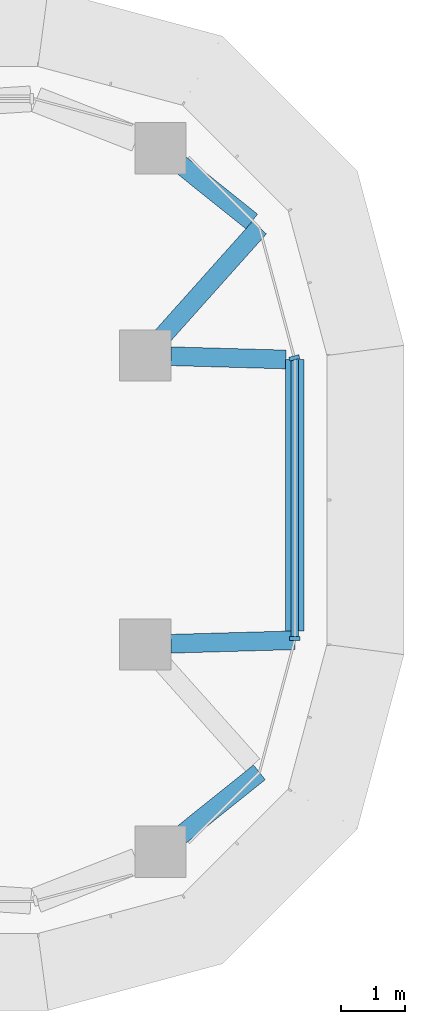
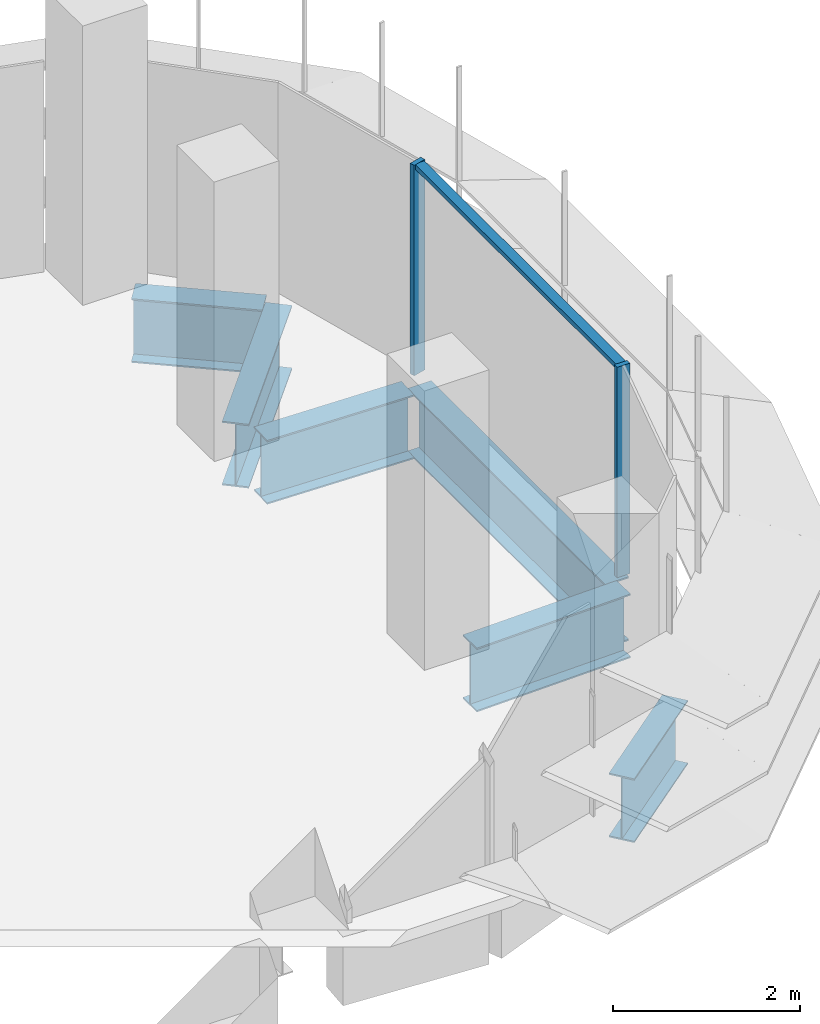
# One storey, part 10 of 19: 6 beams, 3 members, 2 elements without a shape of their own.
"""IFC4 building model written with IfcOpenShell, lengths in metres."""

import ifcopenshell
import ifcopenshell.guid

model = None  # the IFC model being written
_history = None  # IfcOwnerHistory: only IFC2X3 demands one
_inside = {}  # id of a spatial element -> (the spatial element, [elements in it])
_under = {}  # id of a project, library or spatial element -> (it, [spatial elements below it])
_declared = {}  # id of a project -> (the project, [libraries it declares])
_typed = {}  # id of a type object -> (the type object, [elements of that type])
_made_of = {}  # id of a material, layer set ... -> (it, [elements and type objects made of it])


def new_model(schema):
    """Start an empty IFC model of exactly this schema.

    Asked for "IFC4X3", IfcOpenShell would pick the latest addendum, in which some entities
    have other attributes; the version numbers below select the first issue.
    IFC2X3 requires an IfcOwnerHistory on every rooted entity: one is made here for all.
    """
    global model, _history
    if schema == "IFC4X3":
        model = ifcopenshell.file(schema_version=(4, 3, 0, 0))
    else:
        model = ifcopenshell.file(schema=schema)
    _inside.clear()
    _under.clear()
    _declared.clear()
    _typed.clear()
    _made_of.clear()
    _history = None
    if model.schema == "IFC2X3":
        org = make("IfcOrganization", Name="unknown")
        user = make(
            "IfcPersonAndOrganization",
            ThePerson=make("IfcPerson", FamilyName="unknown"),
            TheOrganization=org,
        )
        app = make(
            "IfcApplication",
            ApplicationDeveloper=org,
            Version="unknown",
            ApplicationFullName="unknown",
            ApplicationIdentifier="unknown",
        )
        _history = make(
            "IfcOwnerHistory",
            OwningUser=user,
            OwningApplication=app,
            ChangeAction="ADDED",
            CreationDate=0,
        )
    return model


def make(cls, **values):
    """One entity of the class cls with the attributes given. An attribute that is None is left unset."""
    return model.create_entity(
        cls, **{name: value for name, value in values.items() if value is not None}
    )


def rooted(cls, **values):
    """An entity with a GlobalId (a new one), such as an element, a storey or a relation."""
    return make(cls, GlobalId=ifcopenshell.guid.new(), OwnerHistory=_history, **values)


def si_unit(unit_type, name, prefix=None):
    """IfcSIUnit, for example si_unit("LENGTHUNIT", "METRE", prefix="MILLI")."""
    return make("IfcSIUnit", UnitType=unit_type, Prefix=prefix, Name=name)


def assignment(units):
    """IfcUnitAssignment: the units of a project."""
    return None if units is None else make("IfcUnitAssignment", Units=units)


def point(xyz):
    """IfcCartesianPoint."""
    return None if xyz is None else make("IfcCartesianPoint", Coordinates=xyz)


def direction(xyz):
    """IfcDirection."""
    return None if xyz is None else make("IfcDirection", DirectionRatios=xyz)


def frame(location, z_axis=None, x_axis=None):
    """IfcAxis2Placement3D, a coordinate frame: its origin and axes. An axis left out is left unset."""
    return make(
        "IfcAxis2Placement3D",
        Location=point(location),
        Axis=direction(z_axis),
        RefDirection=direction(x_axis),
    )


def frame_2d(location, x_axis=None):
    """IfcAxis2Placement2D, a coordinate frame in the plane: its origin and x axis."""
    return make(
        "IfcAxis2Placement2D", Location=point(location), RefDirection=direction(x_axis)
    )


def origin():
    """The frame at (0, 0, 0) with its axes left unset."""
    return frame((0.0, 0.0, 0.0))


def origin_2d():
    """The frame at (0, 0) in the plane with its x axis left unset."""
    return frame_2d((0.0, 0.0))


def place(relative_to, where):
    """IfcLocalPlacement: puts the frame where relative to a parent placement (None: the world)."""
    return make(
        "IfcLocalPlacement", PlacementRelTo=relative_to, RelativePlacement=where
    )


def context(
    kind, dimensions, precision=None, world=None, true_north=None, identifier=None
):
    """IfcGeometricRepresentationContext, for example the 3D "Model" context."""
    return make(
        "IfcGeometricRepresentationContext",
        ContextIdentifier=identifier,
        ContextType=kind,
        CoordinateSpaceDimension=dimensions,
        Precision=precision,
        WorldCoordinateSystem=world,
        TrueNorth=true_north,
    )


def subcontext(parent, identifier, kind, view, scale=None):
    """IfcGeometricRepresentationSubContext, for example "Body" below "Model"."""
    return make(
        "IfcGeometricRepresentationSubContext",
        ContextIdentifier=identifier,
        ContextType=kind,
        ParentContext=parent,
        TargetScale=scale,
        TargetView=view,
    )


def project(units=None, contexts=None):
    """IfcProject with its units and contexts."""
    return rooted(
        "IfcProject",
        Name="project",
        RepresentationContexts=contexts,
        UnitsInContext=assignment(units),
    )


def spatial(cls, under=None, at=None, **own):
    """A site, building, storey or space (cls), placed at a placement, below another one or the project."""
    s = rooted(cls, ObjectPlacement=at, **own)
    if under is not None:
        _under.setdefault(under.id(), (under, []))[1].append(s)
    return s


def polyline(points):
    """IfcPolyline through the points."""
    return make("IfcPolyline", Points=[point(p) for p in points])


def profile(cls, at=None, kind="AREA", **sizes):
    """A parametric profile (cls). Its sizes go by their IFC names, for example OverallWidth=200.0."""
    return make(cls, ProfileType=kind, Position=at, **sizes)


def i_section(**sizes):
    """IfcIShapeProfileDef."""
    return profile("IfcIShapeProfileDef", **sizes)


def outline(outer, holes=None, kind="AREA"):
    """IfcArbitraryClosedProfileDef: a profile drawn as a closed curve; with holes, ...WithVoids."""
    if holes is None:
        return make("IfcArbitraryClosedProfileDef", ProfileType=kind, OuterCurve=outer)
    return make(
        "IfcArbitraryProfileDefWithVoids",
        ProfileType=kind,
        OuterCurve=outer,
        InnerCurves=holes,
    )


def extrude(swept, where, along, depth):
    """IfcExtrudedAreaSolid: the profile swept, set in the frame where, extruded along a direction by depth."""
    return make(
        "IfcExtrudedAreaSolid",
        SweptArea=swept,
        Position=where,
        ExtrudedDirection=direction(along),
        Depth=depth,
    )


def shape(context_of_items, identifier, shape_type, items):
    """IfcShapeRepresentation: the items that make up one representation, for example the "Body"."""
    return make(
        "IfcShapeRepresentation",
        ContextOfItems=context_of_items,
        RepresentationIdentifier=identifier,
        RepresentationType=shape_type,
        Items=items,
    )


def source(mapping_origin, context_of_items, identifier, shape_type, items):
    """IfcRepresentationMap: a shape defined once, which mapped items show again and again."""
    return make(
        "IfcRepresentationMap",
        MappingOrigin=mapping_origin,
        MappedRepresentation=shape(context_of_items, identifier, shape_type, items),
    )


def transform(
    local_origin,
    x_axis=None,
    y_axis=None,
    z_axis=None,
    scale=None,
    scale2=None,
    scale3=None,
    uniform=True,
):
    """IfcCartesianTransformationOperator3D, or its non-uniform kind. x_axis, y_axis, z_axis: its Axis1, 2, 3."""
    if uniform:
        return make(
            "IfcCartesianTransformationOperator3D",
            Axis1=direction(x_axis),
            Axis2=direction(y_axis),
            LocalOrigin=point(local_origin),
            Scale=scale,
            Axis3=direction(z_axis),
        )
    return make(
        "IfcCartesianTransformationOperator3DnonUniform",
        Axis1=direction(x_axis),
        Axis2=direction(y_axis),
        LocalOrigin=point(local_origin),
        Scale=scale,
        Axis3=direction(z_axis),
        Scale2=scale2,
        Scale3=scale3,
    )


def mapped(mapping_source, mapping_target):
    """IfcMappedItem: shows the shape of a source again, moved by a transform."""
    return make(
        "IfcMappedItem", MappingSource=mapping_source, MappingTarget=mapping_target
    )


def material(Name=None, Category=None):
    """IfcMaterial."""
    return make("IfcMaterial", Name=Name, Category=Category)


def material_profile(
    of_material, cross_section, Name=None, Category=None, Priority=None
):
    """IfcMaterialProfile: a cross section and its material."""
    return make(
        "IfcMaterialProfile",
        Name=Name,
        Material=of_material,
        Profile=cross_section,
        Priority=Priority,
        Category=Category,
    )


def profile_set(profiles, Name=None, composite=None):
    """IfcMaterialProfileSet."""
    return make(
        "IfcMaterialProfileSet",
        Name=Name,
        MaterialProfiles=profiles,
        CompositeProfile=composite,
    )


def made_of(thing, what):
    """Note that an element or type object is made of a material, layer set ...; save() writes the relation."""
    if what is not None:
        _made_of.setdefault(what.id(), (what, []))[1].append(thing)
    return thing


def type_object(cls, material=None, **own):
    """A type object (cls), such as IfcWallType, which elements share."""
    return made_of(rooted(cls, **own), material)


def element(
    cls,
    number,
    at=None,
    inside=None,
    cuts=None,
    type_object=None,
    material=None,
    context=None,
    identifier="Body",
    shape_type=None,
    held_by="IfcProductDefinitionShape",
    body=None,
    shapes=None,
    **own,
):
    """One element of the class cls, such as IfcWall. Its Tag is "e" and its number.

    at: its placement. inside: the storey or other place that contains it. cuts: it is an
    opening in that element (IfcRelVoidsElement). A single representation is given by context,
    identifier, shape_type and body (its items); several are given by shapes. held_by: the class
    of the entity that holds the representations. save() writes the other relations.
    """
    e = rooted(cls, Tag="e%d" % number, ObjectPlacement=at, **own)
    if body is not None:
        shapes = [shape(context, identifier, shape_type, body)]
    if shapes is not None:
        e.Representation = make(held_by, Representations=shapes)
    if inside is not None:
        _inside.setdefault(inside.id(), (inside, []))[1].append(e)
    if cuts is not None:
        rooted(
            "IfcRelVoidsElement", RelatingBuildingElement=cuts, RelatedOpeningElement=e
        )
    if type_object is not None:
        _typed.setdefault(type_object.id(), (type_object, []))[1].append(e)
    return made_of(e, material)


def aggregate(whole, parts):
    """IfcRelAggregates: a whole, such as a stair, and the parts it consists of."""
    return rooted("IfcRelAggregates", RelatingObject=whole, RelatedObjects=parts)


def save(model, path):
    """Write the relations noted so far, then the file.

    IfcRelAggregates (storeys below a building ...), IfcRelContainedInSpatialStructure (elements
    in a storey), IfcRelDefinesByType, IfcRelAssociatesMaterial and IfcRelDeclares: one each for
    every whole, place, type object, material and project.
    """
    for whole, parts in _under.values():
        aggregate(whole, parts)
    for where, things in _inside.values():
        rooted(
            "IfcRelContainedInSpatialStructure",
            RelatedElements=things,
            RelatingStructure=where,
        )
    for kind, things in _typed.values():
        rooted("IfcRelDefinesByType", RelatedObjects=things, RelatingType=kind)
    for what, things in _made_of.values():
        rooted("IfcRelAssociatesMaterial", RelatedObjects=things, RelatingMaterial=what)
    for by, libraries in _declared.values():
        rooted("IfcRelDeclares", RelatingContext=by, RelatedDefinitions=libraries)
    model.write(path)


model = new_model("IFC4")

# Units and contexts
model_context = context("Model", 3, precision=1e-05, world=origin(), true_north=direction((0.0, 1.0)))
body_context = subcontext(model_context, "Body", "Model", "MODEL_VIEW")
ifc_project = project(units=[si_unit("LENGTHUNIT", "METRE"), si_unit("AREAUNIT", "SQUARE_METRE"), si_unit("VOLUMEUNIT", "CUBIC_METRE"), si_unit("PLANEANGLEUNIT", "RADIAN"), si_unit("MASSUNIT", "GRAM", prefix="KILO")], contexts=[model_context])

# Site, building, storey
site_placement = place(None, origin())
site = spatial("IfcSite", under=ifc_project, at=site_placement, CompositionType="ELEMENT")
building_placement = place(site_placement, origin())
building = spatial("IfcBuilding", under=site, at=building_placement, Name="Zarbagh Exchange Tower", CompositionType="ELEMENT")
storey_placement = place(building_placement, frame((0.0, 0.0, 160.0)))
storey = spatial("IfcBuildingStorey", under=building, at=storey_placement, Name="L38", CompositionType="ELEMENT", Elevation=160.0)

# Beams
ifc_material_1 = material(Name="Steel ASTM A992 Gr 50", Category="steel")
ifc_material_profile = material_profile(ifc_material_1, i_section(OverallWidth=0.2919921875, OverallDepth=0.835693359375, WebThickness=0.013916015625, FlangeThickness=0.018798828125, at=origin_2d()), Name="W33X118")
ifc_profile_set = profile_set([ifc_material_profile], Name="Steel ASTM A992 Gr 50")
beam_type = type_object("IfcBeamType", Name="Floor girder W33X118", PredefinedType="BEAM", material=ifc_profile_set)
beam_1_placement = place(storey_placement, frame((29.22021484375, 5.22509765625, -0.56787109375), z_axis=(0.780533236132, -0.625114283387, 0.0), x_axis=(0.625114283387, 0.780533236132, 0.0)))
element("IfcBeam", 1, at=beam_1_placement, inside=storey, type_object=beam_type, Name="Steel girder", PredefinedType="BEAM", context=body_context, shape_type="SweptSolid", body=[
    extrude(i_section(OverallWidth=0.2919921875, OverallDepth=0.835693359375, WebThickness=0.013916015625, FlangeThickness=0.018798828125, at=origin_2d()), origin(), (0.0, 0.0, 1.0), 1.420166015625),
])
beam_2_placement = place(storey_placement, frame((30.44873046875, 4.2412109375, -0.56787109375), z_axis=(-0.666191013206, -0.745781156857, 0.0), x_axis=(0.745781156857, -0.666191013206, 0.0)))
element("IfcBeam", 2, at=beam_2_placement, inside=storey, type_object=beam_type, Name="Steel girder", PredefinedType="BEAM", context=body_context, shape_type="SweptSolid", body=[
    extrude(i_section(OverallWidth=0.2919921875, OverallDepth=0.835693359375, WebThickness=0.013916015625, FlangeThickness=0.018798828125, at=origin_2d()), origin(), (0.0, 0.0, 1.0), 2.27001953125),
])
beam_3_placement = place(storey_placement, frame((29.06982421875, 2.23876953125, -0.56787109375), z_axis=(0.999600942558, -0.028248108547, 0.0), x_axis=(0.028248108547, 0.999600942558, 0.0)))
element("IfcBeam", 3, at=beam_3_placement, inside=storey, type_object=beam_type, Name="Steel girder", PredefinedType="BEAM", context=body_context, shape_type="SweptSolid", body=[
    extrude(i_section(OverallWidth=0.2919921875, OverallDepth=0.835693359375, WebThickness=0.013916015625, FlangeThickness=0.018798828125, at=origin_2d()), origin(), (0.0, 0.0, 1.0), 1.7890625),
])
beam_4_placement = place(storey_placement, frame((31.0, 2.18408203125, -0.56787109375), z_axis=(0.0, -1.0, 0.0), x_axis=(1.0, 0.0, 0.0)))
element("IfcBeam", 4, at=beam_4_placement, inside=storey, type_object=beam_type, Name="Steel girder", PredefinedType="BEAM", context=body_context, shape_type="SweptSolid", body=[
    extrude(i_section(OverallWidth=0.2919921875, OverallDepth=0.835693359375, WebThickness=0.013916015625, FlangeThickness=0.018798828125, at=origin_2d()), origin(), (0.0, 0.0, 1.0), 4.226318359375),
])
beam_5_placement = place(storey_placement, frame((31.0, -2.18408203125, -0.56787109375), z_axis=(-0.999598864551, -0.028321546377, 0.0), x_axis=(0.028321546377, -0.999598864551, 0.0)))
element("IfcBeam", 5, at=beam_5_placement, inside=storey, type_object=beam_type, Name="Steel girder", PredefinedType="BEAM", context=body_context, shape_type="SweptSolid", body=[
    extrude(i_section(OverallWidth=0.2919921875, OverallDepth=0.835693359375, WebThickness=0.013916015625, FlangeThickness=0.018798828125, at=origin_2d()), origin(), (0.0, 0.0, 1.0), 1.930908203125),
])
beam_6_placement = place(storey_placement, frame((30.44873046875, -4.2412109375, -0.56787109375), z_axis=(-0.780535770033, -0.625111119482, 0.0), x_axis=(0.625111119482, -0.780535770033, 0.0)))
element("IfcBeam", 6, at=beam_6_placement, inside=storey, type_object=beam_type, Name="Steel girder", PredefinedType="BEAM", context=body_context, shape_type="SweptSolid", body=[
    extrude(i_section(OverallWidth=0.2919921875, OverallDepth=0.835693359375, WebThickness=0.013916015625, FlangeThickness=0.018798828125, at=origin_2d()), origin(), (0.0, 0.0, 1.0), 1.573974609375),
])

# Curtain wall, member
ifc_material_2 = material(Name="Anodised aluminium frame and glazing", Category="aluminium")
curtain_wall_type = type_object("IfcCurtainWallType", Name="CWB Ribbon glazing, upper zones", PredefinedType="NOTDEFINED", material=ifc_material_2)
curtain_wall_1_placement = place(storey_placement, origin())
curtain_wall_1 = element("IfcCurtainWall", 7, at=curtain_wall_1_placement, inside=storey, type_object=curtain_wall_type, Name="CWB12 curtain wall", PredefinedType="NOTDEFINED")
ifc_material_3 = material(Name="Anodised aluminium frame", Category="aluminium")
member_type_1 = type_object("IfcMemberType", Name="MUB Mullion, anodised aluminium frame", PredefinedType="MULLION", material=ifc_material_3)
shared_shape_1 = source(origin(), body_context, "Body", "SweptSolid", [
    extrude(outline(polyline([(0.0, -0.080078125), (0.06005859375, -0.080078125), (0.06005859375, 0.080078125), (0.0, 0.080078125), (0.0, -0.080078125)])), origin(), (0.0, 0.0, 1.0), 2.75),
])
placement = place(storey_placement, origin())
member_1 = element("IfcMember", 8, at=placement, type_object=member_type_1, Name="CWB12 mullion 1.1", PredefinedType="MULLION", context=body_context, shape_type="MappedRepresentation", body=[
    mapped(shared_shape_1, transform((31.0, -2.18408203125, 0.0), x_axis=(0.0, 1.0, 0.0), y_axis=(-1.0, 0.0, 0.0), z_axis=(0.0, 0.0, 1.0))),
])

curtain_wall_2_placement = place(storey_placement, origin())
curtain_wall_2 = element("IfcCurtainWall", 9, at=curtain_wall_2_placement, inside=storey, type_object=curtain_wall_type, Name="CWB13 curtain wall", PredefinedType="NOTDEFINED")
member_2 = element("IfcMember", 10, at=placement, type_object=member_type_1, Name="CWB13 mullion 1.1", PredefinedType="MULLION", context=body_context, shape_type="MappedRepresentation", body=[
    mapped(shared_shape_1, transform((31.0, 2.18408203125, 0.0), x_axis=(-0.258824779902, 0.965924289636, 0.0), y_axis=(-0.965924289636, -0.258824779902, 0.0), z_axis=(0.0, 0.0, 1.0))),
])
aggregate(curtain_wall_2, [member_2])

# Member
member_type_2 = type_object("IfcMemberType", Name="TRB Transom, anodised aluminium frame", PredefinedType="USERDEFINED", material=ifc_material_3)
shared_shape_2 = source(origin(), body_context, "Body", "SweptSolid", [
    extrude(outline(polyline([(-0.06005859375, -0.06005859375), (0.0, -0.06005859375), (0.0, 0.06005859375), (-0.06005859375, 0.06005859375), (-0.06005859375, -0.06005859375)])), origin(), (0.0, 0.0, 1.0), 4.308349609375),
])
member_3 = element("IfcMember", 11, at=placement, type_object=member_type_2, Name="CWB12 transom 1.1", ObjectType="TRANSOM", PredefinedType="USERDEFINED", context=body_context, shape_type="MappedRepresentation", body=[
    mapped(shared_shape_2, transform((31.0, -2.124267578125, 2.75), x_axis=(0.0, 0.0, 1.0), y_axis=(1.0, 0.0, 0.0), z_axis=(0.0, 1.0, 0.0))),
])

aggregate(curtain_wall_1, [member_1, member_3])

save(model, "model.ifc")
